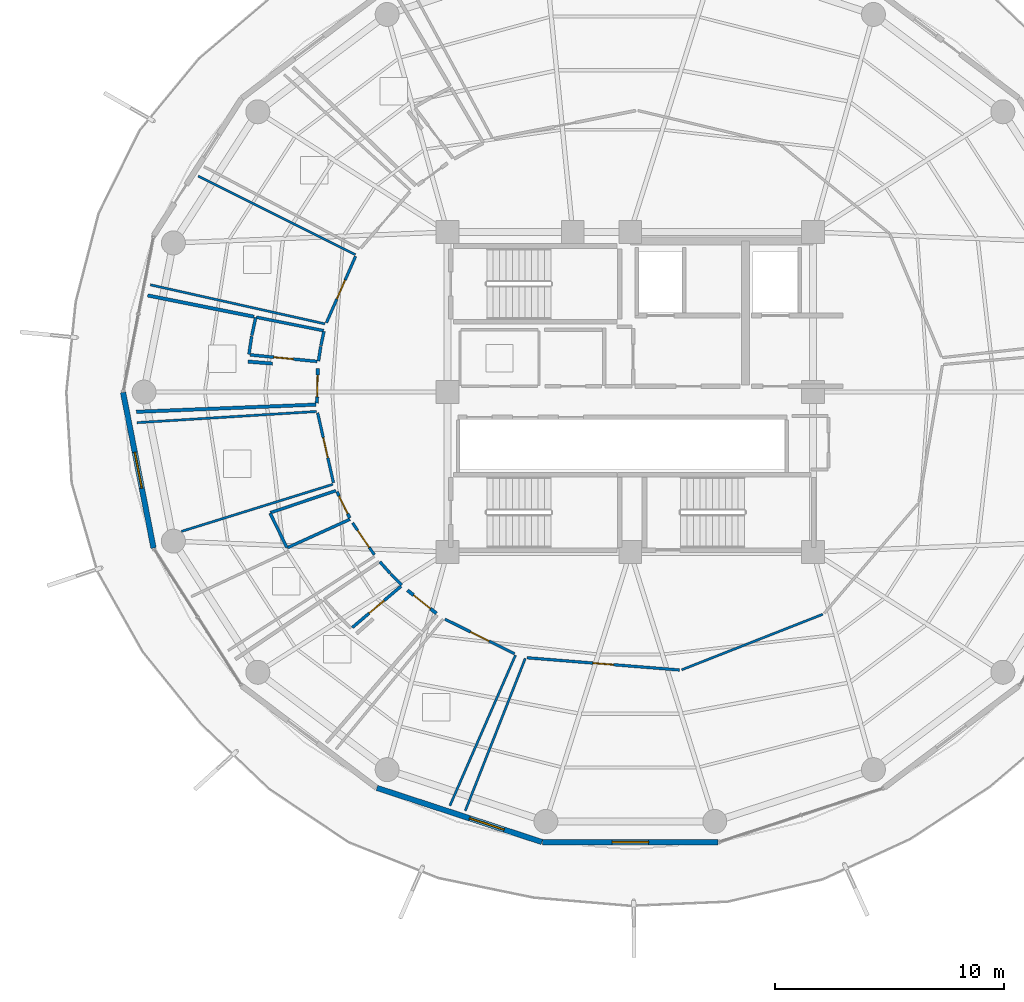
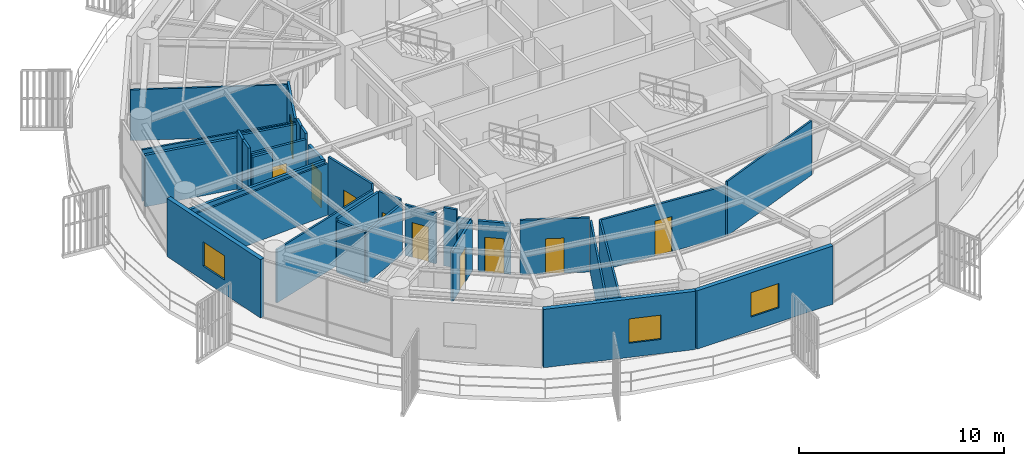
# One storey, part 24 of 31: 33 walls, 10 doors, 3 windows, 13 openings.
"""IFC4 building model written with IfcOpenShell, lengths in metres."""

from ifc_helpers import new_model, si_unit, direction, frame, frame_2d, origin, place, context, subcontext, project, spatial, rectangle, extrude, material, layer, layer_set, type_object, element, fill, save


model = new_model("IFC4")

# Units and contexts
model_context = context("Model", 3, precision=1e-05, world=origin(), true_north=direction((0.0, 1.0)))
body_context = subcontext(model_context, "Body", "Model", "MODEL_VIEW")
ifc_project = project(units=[si_unit("LENGTHUNIT", "METRE"), si_unit("AREAUNIT", "SQUARE_METRE"), si_unit("VOLUMEUNIT", "CUBIC_METRE"), si_unit("PLANEANGLEUNIT", "RADIAN"), si_unit("MASSUNIT", "GRAM", prefix="KILO")], contexts=[model_context])

# Site, building, storey
site_placement = place(None, origin())
site = spatial("IfcSite", under=ifc_project, at=site_placement, CompositionType="ELEMENT")
building_placement = place(site_placement, origin())
building = spatial("IfcBuilding", under=site, at=building_placement, Name="Kelanora Arch Commons", CompositionType="ELEMENT")
storey_placement = place(building_placement, frame((0.0, 0.0, 230.699951171875)))
storey = spatial("IfcBuildingStorey", under=building, at=storey_placement, Name="L59", CompositionType="ELEMENT", Elevation=230.699951171875)

# Wall, opening, door
ifc_material_1 = material(Name="Autoclaved aerated concrete blockwork with fire plaster", Category="masonry")
ifc_layer_1 = layer(ifc_material_1, 0.14990234375)
ifc_layer_set_1 = layer_set([ifc_layer_1], Name="Autoclaved aerated concrete blockwork with fire plaster")
wall_type_1 = type_object("IfcWallType", Name="W-COMP-150", PredefinedType="PARTITIONING", material=ifc_layer_set_1)
wall_1_placement = place(storey_placement, frame((60.322509765625, 59.028076171875, 0.0), z_axis=(0.0, 0.0, 1.0), x_axis=(-0.024453580127, -0.999700966499, 0.0)))
wall_1 = element("IfcWall", 1, at=wall_1_placement, inside=storey, type_object=wall_type_1, Name="Cluster Bedroom L59-04 Entry Partition", PredefinedType="PARTITIONING", context=body_context, shape_type="SweptSolid", body=[
    extrude(rectangle(XDim=1.517578125, YDim=0.14990234375, at=frame_2d((0.7587890625, 0.0))), origin(), (0.0, 0.0, 1.0), 3.025146484375),
])
opening_1_placement = place(wall_1_placement, frame((0.283935546875, 0.0, 0.0)))
opening_1 = element("IfcOpeningElement", 2, at=opening_1_placement, cuts=wall_1, Name="Opening D-CLU1", PredefinedType="OPENING", context=body_context, shape_type="SweptSolid", body=[
    extrude(rectangle(XDim=0.949951171875, YDim=2.080078125, at=frame_2d((0.47509765625, 1.0400390625))), frame((0.0, 0.0849609375, 0.0), z_axis=(0.0, -1.0, 0.0), x_axis=(1.0, 0.0, 0.0)), (0.0, 0.0, 1.0), 0.169921875),
])
ifc_material_2 = material(Name="Solid-core acoustic timber cluster entry fire door", Category="wood")
door_type_1 = type_object("IfcDoorType", Name="D-CLU-95", OperationType="NOTDEFINED", PredefinedType="DOOR", material=ifc_material_2)
door_1_placement = place(opening_1_placement, origin())
door_1 = element("IfcDoor", 3, at=door_1_placement, inside=storey, type_object=door_type_1, Name="Cluster Bedroom L59-04 Door", OperationType="SINGLE_SWING_RIGHT", OverallHeight=2.080078125, OverallWidth=0.949951171875, PredefinedType="DOOR", context=body_context, shape_type="SweptSolid", body=[
    extrude(rectangle(XDim=0.949951171875, YDim=2.080078125, at=frame_2d((0.47509765625, 1.0400390625))), frame((0.0, 0.02490234375, 0.0), z_axis=(0.0, -1.0, 0.0), x_axis=(1.0, 0.0, 0.0)), (0.0, 0.0, 1.0), 0.050048828125),
])
fill(opening_1, door_1)

wall_2_placement = place(storey_placement, frame((64.249755859375, 49.324462890625, 0.0), z_axis=(0.0, 0.0, 1.0), x_axis=(0.780560643324, -0.625080060547, 0.0)))
wall_2 = element("IfcWall", 4, at=wall_2_placement, inside=storey, type_object=wall_type_1, Name="Co-Living Studio L59-07 Entry Partition", PredefinedType="PARTITIONING", context=body_context, shape_type="SweptSolid", body=[
    extrude(rectangle(XDim=1.62353515625, YDim=0.14990234375, at=frame_2d((0.811767578125, 0.0))), origin(), (0.0, 0.0, 1.0), 3.025146484375),
])
opening_2_placement = place(wall_2_placement, frame((0.3369140625, 0.0, 0.0)))
opening_2 = element("IfcOpeningElement", 5, at=opening_2_placement, cuts=wall_2, Name="Opening D-CLU1", PredefinedType="OPENING", context=body_context, shape_type="SweptSolid", body=[
    extrude(rectangle(XDim=0.949951171875, YDim=2.080078125, at=frame_2d((0.47509765625, 1.0400390625))), frame((0.0, 0.0849609375, 0.0), z_axis=(0.0, -1.0, 0.0), x_axis=(1.0, 0.0, 0.0)), (0.0, 0.0, 1.0), 0.169921875),
])
door_2_placement = place(opening_2_placement, origin())
door_2 = element("IfcDoor", 6, at=door_2_placement, inside=storey, type_object=door_type_1, Name="Co-Living Studio L59-07 Door", OperationType="SINGLE_SWING_LEFT", OverallHeight=2.080078125, OverallWidth=0.949951171875, PredefinedType="DOOR", context=body_context, shape_type="SweptSolid", body=[
    extrude(rectangle(XDim=0.949951171875, YDim=2.080078125, at=frame_2d((0.47509765625, 1.0400390625))), frame((0.0, 0.02490234375, 0.0), z_axis=(0.0, -1.0, 0.0), x_axis=(1.0, 0.0, 0.0)), (0.0, 0.0, 1.0), 0.050048828125),
])
fill(opening_2, door_2)

# Walls
wall_3_placement = place(storey_placement, frame((60.243896484375, 57.449462890625, 0.0), z_axis=(0.0, 0.0, 1.0), x_axis=(-0.999198776547, -0.040022555479, 0.0)))
element("IfcWall", 7, at=wall_3_placement, inside=storey, type_object=wall_type_1, Name="Cluster Bedroom L59-04 Enclosure Partition 2", PredefinedType="PARTITIONING", context=body_context, shape_type="SweptSolid", body=[
    extrude(rectangle(XDim=7.869140625, YDim=0.14990234375, at=frame_2d((3.9345703125, 0.0))), origin(), (0.0, 0.0, 1.0), 3.074951171875),
])
wall_4_placement = place(storey_placement, frame((52.878173828125, 62.22900390625, 0.0), z_axis=(0.0, 0.0, 1.0), x_axis=(0.980491563171, -0.196561172538, 0.0)))
element("IfcWall", 8, at=wall_4_placement, inside=storey, type_object=wall_type_1, Name="Cluster Bedroom L59-04 Enclosure Partition 5", PredefinedType="PARTITIONING", context=body_context, shape_type="SweptSolid", body=[
    extrude(rectangle(XDim=4.7470703125, YDim=0.14990234375, at=frame_2d((2.37353515625, 0.0))), origin(), (0.0, 0.0, 1.0), 3.074951171875),
])
wall_5_placement = place(storey_placement, frame((57.27490234375, 59.330810546875, 0.0), z_axis=(0.0, 0.0, 1.0), x_axis=(0.996837682514, -0.079464675924, 0.0)))
element("IfcWall", 9, at=wall_5_placement, inside=storey, type_object=wall_type_1, Name="Cluster Bedroom L59-04 Enclosure Partition 7", PredefinedType="PARTITIONING", context=body_context, shape_type="SweptSolid", body=[
    extrude(rectangle(XDim=1.072265625, YDim=0.14990234375, at=frame_2d((0.5361328125, 0.0))), origin(), (0.0, 0.0, 1.0), 3.175048828125),
])

# Wall, opening, window
ifc_material_3 = material(Name="Precast concrete C40/50 upper-zone terracotta rainscreen", Category="masonry")
ifc_layer_2 = layer(ifc_material_3, 0.239990234375)
ifc_layer_set_2 = layer_set([ifc_layer_2], Name="Precast concrete C40/50 upper-zone terracotta rainscreen")
wall_type_2 = type_object("IfcWallType", Name="W-EXT-TC2", PredefinedType="SOLIDWALL", material=ifc_layer_set_2)
wall_6_placement = place(storey_placement, frame((51.802978515625, 57.9853515625, 0.0), z_axis=(0.0, 0.0, 1.0), x_axis=(0.192069055673, -0.981381413036, 0.0)))
wall_6 = element("IfcWall", 10, at=wall_6_placement, inside=storey, type_object=wall_type_2, Name="Terracotta Exterior Wall L59-B09", PredefinedType="SOLIDWALL", context=body_context, shape_type="SweptSolid", body=[
    extrude(rectangle(XDim=6.940185546875, YDim=0.239990234375, at=frame_2d((3.47021484375, 0.0))), origin(), (0.0, 0.0, 1.0), 3.47509765625),
])
opening_3_placement = place(wall_6_placement, frame((2.669921875, 0.0, 0.85009765625)))
opening_3 = element("IfcOpeningElement", 11, at=opening_3_placement, cuts=wall_6, Name="Opening WN-01", PredefinedType="OPENING", context=body_context, shape_type="SweptSolid", body=[
    extrude(rectangle(XDim=1.60009765625, YDim=1.449951171875, at=frame_2d((0.800048828125, 0.72509765625))), frame((0.0, 0.1298828125, 0.0), z_axis=(0.0, -1.0, 0.0), x_axis=(1.0, 0.0, 0.0)), (0.0, 0.0, 1.0), 0.260009765625),
])
ifc_material_4 = material(Name="Terracotta-anodised aluminium frame with operable low-E glazing", Category="masonry")
window_type = type_object("IfcWindowType", Name="WIN-CL-18", PartitioningType="DOUBLE_PANEL_VERTICAL", PredefinedType="WINDOW", material=ifc_material_4)
window_1_placement = place(opening_3_placement, origin())
window_1 = element("IfcWindow", 12, at=window_1_placement, inside=storey, type_object=window_type, Name="Co-Living Operable Window L59-B09", OverallHeight=1.449951171875, OverallWidth=1.60009765625, PartitioningType="SINGLE_PANEL", PredefinedType="WINDOW", context=body_context, shape_type="SweptSolid", body=[
    extrude(rectangle(XDim=1.60009765625, YDim=1.449951171875, at=frame_2d((0.800048828125, 0.72509765625))), frame((0.0, 0.030029296875, 0.0), z_axis=(0.0, -1.0, 0.0), x_axis=(1.0, 0.0, 0.0)), (0.0, 0.0, 1.0), 0.06005859375),
])
fill(opening_3, window_1)

wall_7_placement = place(storey_placement, frame((62.914306640625, 40.6748046875, 0.0), z_axis=(0.0, 0.0, 1.0), x_axis=(0.95022142767, -0.31157541366, 0.0)))
wall_7 = element("IfcWall", 13, at=wall_7_placement, inside=storey, type_object=wall_type_2, Name="Terracotta Exterior Wall L59-B12", PredefinedType="SOLIDWALL", context=body_context, shape_type="SweptSolid", body=[
    extrude(rectangle(XDim=7.59423828125, YDim=0.239990234375, at=frame_2d((3.797119140625, 0.0))), origin(), (0.0, 0.0, 1.0), 3.47509765625),
])
opening_4_placement = place(wall_7_placement, frame((4.257080078125, 0.0, 0.85009765625)))
opening_4 = element("IfcOpeningElement", 14, at=opening_4_placement, cuts=wall_7, Name="Opening WN-01", PredefinedType="OPENING", context=body_context, shape_type="SweptSolid", body=[
    extrude(rectangle(XDim=1.60009765625, YDim=1.449951171875, at=frame_2d((0.800048828125, 0.72509765625))), frame((0.0, 0.1298828125, 0.0), z_axis=(0.0, -1.0, 0.0), x_axis=(1.0, 0.0, 0.0)), (0.0, 0.0, 1.0), 0.260009765625),
])
window_2_placement = place(opening_4_placement, origin())
window_2 = element("IfcWindow", 15, at=window_2_placement, inside=storey, type_object=window_type, Name="Co-Living Operable Window L59-B12", OverallHeight=1.449951171875, OverallWidth=1.60009765625, PartitioningType="SINGLE_PANEL", PredefinedType="WINDOW", context=body_context, shape_type="SweptSolid", body=[
    extrude(rectangle(XDim=1.60009765625, YDim=1.449951171875, at=frame_2d((0.800048828125, 0.72509765625))), frame((0.0, 0.030029296875, 0.0), z_axis=(0.0, -1.0, 0.0), x_axis=(1.0, 0.0, 0.0)), (0.0, 0.0, 1.0), 0.06005859375),
])
fill(opening_4, window_2)

wall_8_placement = place(storey_placement, frame((70.159912109375, 38.3037109375, 0.0), z_axis=(0.0, 0.0, 1.0), x_axis=(1.0, 0.0, 0.0)))
wall_8 = element("IfcWall", 16, at=wall_8_placement, inside=storey, type_object=wall_type_2, Name="Terracotta Exterior Wall L59-B13", PredefinedType="SOLIDWALL", context=body_context, shape_type="SweptSolid", body=[
    extrude(rectangle(XDim=7.68017578125, YDim=0.239990234375, at=frame_2d((3.840087890625, 0.0))), origin(), (0.0, 0.0, 1.0), 3.47509765625),
])
opening_5_placement = place(wall_8_placement, frame((3.0400390625, 0.0, 0.85009765625)))
opening_5 = element("IfcOpeningElement", 17, at=opening_5_placement, cuts=wall_8, Name="Opening WN-01", PredefinedType="OPENING", context=body_context, shape_type="SweptSolid", body=[
    extrude(rectangle(XDim=1.60009765625, YDim=1.449951171875, at=frame_2d((0.800048828125, 0.72509765625))), frame((0.0, 0.1298828125, 0.0), z_axis=(0.0, -1.0, 0.0), x_axis=(1.0, 0.0, 0.0)), (0.0, 0.0, 1.0), 0.260009765625),
])
window_3_placement = place(opening_5_placement, origin())
window_3 = element("IfcWindow", 18, at=window_3_placement, inside=storey, type_object=window_type, Name="Co-Living Operable Window L59-B13", OverallHeight=1.449951171875, OverallWidth=1.60009765625, PartitioningType="SINGLE_PANEL", PredefinedType="WINDOW", context=body_context, shape_type="SweptSolid", body=[
    extrude(rectangle(XDim=1.60009765625, YDim=1.449951171875, at=frame_2d((0.800048828125, 0.72509765625))), frame((0.0, 0.030029296875, 0.0), z_axis=(0.0, -1.0, 0.0), x_axis=(1.0, 0.0, 0.0)), (0.0, 0.0, 1.0), 0.06005859375),
])
fill(opening_5, window_3)

# Walls
ifc_material_5 = material(Name="Lightweight fire-rated acoustic stud partition")
ifc_layer_3 = layer(ifc_material_5, 0.10009765625)
ifc_layer_set_3 = layer_set([ifc_layer_3], Name="Lightweight fire-rated acoustic stud partition")
wall_type_3 = type_object("IfcWallType", Name="W-PART-100", PredefinedType="PARTITIONING", material=ifc_layer_set_3)
wall_9_placement = place(storey_placement, frame((76.250244140625, 45.845703125, 0.0), z_axis=(0.0, 0.0, 1.0), x_axis=(0.93054786628, 0.366170272635, 0.0)))
element("IfcWall", 19, at=wall_9_placement, inside=storey, type_object=wall_type_3, Name="South-East Shared Study Commons L59 Enclosure Partition 2", PredefinedType="PARTITIONING", context=body_context, shape_type="SweptSolid", body=[
    extrude(rectangle(XDim=6.635498046875, YDim=0.10009765625, at=frame_2d((3.31787109375, 0.0))), origin(), (0.0, 0.0, 1.0), 3.235107421875),
])
wall_10_placement = place(storey_placement, frame((66.777587890625, 39.67431640625, 0.0), z_axis=(0.0, 0.0, 1.0), x_axis=(0.366396673382, 0.930458745853, 0.0)))
element("IfcWall", 20, at=wall_10_placement, inside=storey, type_object=wall_type_3, Name="South-East Shared Study Commons L59 Enclosure Partition 10", PredefinedType="PARTITIONING", context=body_context, shape_type="SweptSolid", body=[
    extrude(rectangle(XDim=7.163818359375, YDim=0.10009765625, at=frame_2d((3.58203125, 0.0))), origin(), (0.0, 0.0, 1.0), 3.074951171875),
])
wall_11_placement = place(storey_placement, frame((60.636962890625, 60.983642578125, 0.0), z_axis=(0.0, 0.0, 1.0), x_axis=(-0.97589770928, 0.218228460612, 0.0)))
element("IfcWall", 21, at=wall_11_placement, inside=storey, type_object=wall_type_3, Name="Shared Cluster Kitchen L59-03 Enclosure Partition 2", PredefinedType="PARTITIONING", context=body_context, shape_type="SweptSolid", body=[
    extrude(rectangle(XDim=7.82568359375, YDim=0.10009765625, at=frame_2d((3.912841796875, 0.0))), origin(), (0.0, 0.0, 1.0), 3.074951171875),
])
wall_12_placement = place(storey_placement, frame((55.087890625, 67.447998046875, 0.0), z_axis=(0.0, 0.0, 1.0), x_axis=(0.894433542293, -0.447200892688, 0.0)))
element("IfcWall", 22, at=wall_12_placement, inside=storey, type_object=wall_type_3, Name="Shared Cluster Kitchen L59-03 Enclosure Partition 4", PredefinedType="PARTITIONING", context=body_context, shape_type="SweptSolid", body=[
    extrude(rectangle(XDim=7.687744140625, YDim=0.10009765625, at=frame_2d((3.84375, 0.0))), origin(), (0.0, 0.0, 1.0), 3.025146484375),
])
wall_13_placement = place(storey_placement, frame((60.98486328125, 53.961181640625, 0.0), z_axis=(0.0, 0.0, 1.0), x_axis=(-0.954952218503, -0.29675960031, 0.0)))
element("IfcWall", 23, at=wall_13_placement, inside=storey, type_object=wall_type_3, Name="Quiet Seminar Study Room L59-05 Enclosure Partition 2", PredefinedType="PARTITIONING", context=body_context, shape_type="SweptSolid", body=[
    extrude(rectangle(XDim=6.946044921875, YDim=0.10009765625, at=frame_2d((3.47314453125, 0.0))), origin(), (0.0, 0.0, 1.0), 3.175048828125),
])
wall_14_placement = place(storey_placement, frame((52.410888671875, 56.660400390625, 0.0), z_axis=(0.0, 0.0, 1.0), x_axis=(0.998074132124, 0.06203246557, 0.0)))
element("IfcWall", 24, at=wall_14_placement, inside=storey, type_object=wall_type_3, Name="Quiet Seminar Study Room L59-05 Enclosure Partition 4", PredefinedType="PARTITIONING", context=body_context, shape_type="SweptSolid", body=[
    extrude(rectangle(XDim=7.867431640625, YDim=0.10009765625, at=frame_2d((3.93359375, 0.0))), origin(), (0.0, 0.0, 1.0), 3.074951171875),
])
wall_15_placement = place(storey_placement, frame((68.97412109375, 46.4833984375, 0.0), z_axis=(0.0, 0.0, 1.0), x_axis=(-0.399504113712, -0.916731401844, 0.0)))
element("IfcWall", 25, at=wall_15_placement, inside=storey, type_object=wall_type_3, Name="Quiet Seminar Study Room L59-08 Enclosure Partition 2", PredefinedType="PARTITIONING", context=body_context, shape_type="SweptSolid", body=[
    extrude(rectangle(XDim=7.181640625, YDim=0.10009765625, at=frame_2d((3.5908203125, 0.0))), origin(), (0.0, 0.0, 1.0), 3.074951171875),
])

# Wall, opening, door
ifc_material_6 = material(Name="Acoustic twin-stud fire-rated gypsum partition")
ifc_layer_4 = layer(ifc_material_6, 0.1201171875)
ifc_layer_set_4 = layer_set([ifc_layer_4], Name="Acoustic twin-stud fire-rated gypsum partition")
wall_type_4 = type_object("IfcWallType", Name="W-PART-120", PredefinedType="PARTITIONING", material=ifc_layer_set_4)
wall_16_placement = place(storey_placement, frame((69.476806640625, 46.372314453125, 0.0), z_axis=(0.0, 0.0, 1.0), x_axis=(0.996785539967, -0.080116086476, 0.0)))
wall_16 = element("IfcWall", 26, at=wall_16_placement, inside=storey, type_object=wall_type_4, Name="South-East Shared Study Commons L59 Entry Partition", PredefinedType="PARTITIONING", context=body_context, shape_type="SweptSolid", body=[
    extrude(rectangle(XDim=6.697998046875, YDim=0.1201171875, at=frame_2d((3.34912109375, 0.0))), origin(), (0.0, 0.0, 1.0), 3.025146484375),
])
opening_6_placement = place(wall_16_placement, frame((2.89892578125, 0.0, 0.0)))
opening_6 = element("IfcOpeningElement", 27, at=opening_6_placement, cuts=wall_16, Name="Opening D-RM1", PredefinedType="OPENING", context=body_context, shape_type="SweptSolid", body=[
    extrude(rectangle(XDim=0.89990234375, YDim=2.080078125, at=frame_2d((0.449951171875, 1.0400390625))), frame((0.0, 0.070068359375, 0.0), z_axis=(0.0, -1.0, 0.0), x_axis=(1.0, 0.0, 0.0)), (0.0, 0.0, 1.0), 0.14013671875),
])
ifc_material_7 = material(Name="Acoustic fire-rated timber study and lounge door", Category="wood")
door_type_2 = type_object("IfcDoorType", Name="D-ROOM-90", OperationType="NOTDEFINED", PredefinedType="DOOR", material=ifc_material_7)
door_3_placement = place(opening_6_placement, origin())
door_3 = element("IfcDoor", 28, at=door_3_placement, inside=storey, type_object=door_type_2, Name="South-East Shared Study Commons L59 Door", OperationType="SINGLE_SWING_LEFT", OverallHeight=2.080078125, OverallWidth=0.89990234375, PredefinedType="DOOR", context=body_context, shape_type="SweptSolid", body=[
    extrude(rectangle(XDim=0.89990234375, YDim=2.080078125, at=frame_2d((0.449951171875, 1.0400390625))), frame((0.0, 0.02490234375, 0.0), z_axis=(0.0, -1.0, 0.0), x_axis=(1.0, 0.0, 0.0)), (0.0, 0.0, 1.0), 0.050048828125),
])
fill(opening_6, door_3)

wall_17_placement = place(storey_placement, frame((61.975830078125, 63.93701171875, 0.0), z_axis=(0.0, 0.0, 1.0), x_axis=(-0.401802923717, -0.91572616567, 0.0)))
wall_17 = element("IfcWall", 29, at=wall_17_placement, inside=storey, type_object=wall_type_4, Name="Shared Cluster Kitchen L59-03 Entry Partition", PredefinedType="PARTITIONING", context=body_context, shape_type="SweptSolid", body=[
    extrude(rectangle(XDim=3.1748046875, YDim=0.1201171875, at=frame_2d((1.58740234375, 0.0))), origin(), (0.0, 0.0, 1.0), 3.235107421875),
])
opening_7_placement = place(wall_17_placement, frame((1.136962890625, 0.0, 0.0)))
opening_7 = element("IfcOpeningElement", 30, at=opening_7_placement, cuts=wall_17, Name="Opening D-RM1", PredefinedType="OPENING", context=body_context, shape_type="SweptSolid", body=[
    extrude(rectangle(XDim=0.89990234375, YDim=2.080078125, at=frame_2d((0.449951171875, 1.0400390625))), frame((0.0, 0.070068359375, 0.0), z_axis=(0.0, -1.0, 0.0), x_axis=(1.0, 0.0, 0.0)), (0.0, 0.0, 1.0), 0.14013671875),
])
door_4_placement = place(opening_7_placement, origin())
door_4 = element("IfcDoor", 31, at=door_4_placement, inside=storey, type_object=door_type_2, Name="Shared Cluster Kitchen L59-03 Door", OperationType="SINGLE_SWING_RIGHT", OverallHeight=2.080078125, OverallWidth=0.89990234375, PredefinedType="DOOR", context=body_context, shape_type="SweptSolid", body=[
    extrude(rectangle(XDim=0.89990234375, YDim=2.080078125, at=frame_2d((0.449951171875, 1.0400390625))), frame((0.0, 0.02490234375, 0.0), z_axis=(0.0, -1.0, 0.0), x_axis=(1.0, 0.0, 0.0)), (0.0, 0.0, 1.0), 0.050048828125),
])
fill(opening_7, door_4)

wall_18_placement = place(storey_placement, frame((60.31640625, 57.092529296875, 0.0), z_axis=(0.0, 0.0, 1.0), x_axis=(0.22091500264, -0.975293064473, 0.0)))
wall_18 = element("IfcWall", 32, at=wall_18_placement, inside=storey, type_object=wall_type_4, Name="Quiet Seminar Study Room L59-05 Entry Partition", PredefinedType="PARTITIONING", context=body_context, shape_type="SweptSolid", body=[
    extrude(rectangle(XDim=3.138671875, YDim=0.1201171875, at=frame_2d((1.5693359375, 0.0))), origin(), (0.0, 0.0, 1.0), 3.47998046875),
])
opening_8_placement = place(wall_18_placement, frame((1.118896484375, 0.0, 0.0)))
opening_8 = element("IfcOpeningElement", 33, at=opening_8_placement, cuts=wall_18, Name="Opening D-RM1", PredefinedType="OPENING", context=body_context, shape_type="SweptSolid", body=[
    extrude(rectangle(XDim=0.89990234375, YDim=2.080078125, at=frame_2d((0.449951171875, 1.0400390625))), frame((0.0, 0.070068359375, 0.0), z_axis=(0.0, -1.0, 0.0), x_axis=(1.0, 0.0, 0.0)), (0.0, 0.0, 1.0), 0.14013671875),
])
door_5_placement = place(opening_8_placement, origin())
door_5 = element("IfcDoor", 34, at=door_5_placement, inside=storey, type_object=door_type_2, Name="Quiet Seminar Study Room L59-05 Door", OperationType="SINGLE_SWING_LEFT", OverallHeight=2.080078125, OverallWidth=0.89990234375, PredefinedType="DOOR", context=body_context, shape_type="SweptSolid", body=[
    extrude(rectangle(XDim=0.89990234375, YDim=2.080078125, at=frame_2d((0.449951171875, 1.0400390625))), frame((0.0, 0.02490234375, 0.0), z_axis=(0.0, -1.0, 0.0), x_axis=(1.0, 0.0, 0.0)), (0.0, 0.0, 1.0), 0.050048828125),
])
fill(opening_8, door_5)

wall_19_placement = place(storey_placement, frame((61.845703125, 52.2734375, 0.0), z_axis=(0.0, 0.0, 1.0), x_axis=(0.563860796601, -0.825869845712, 0.0)))
wall_19 = element("IfcWall", 35, at=wall_19_placement, inside=storey, type_object=wall_type_4, Name="Tutorial Study Alcove L59-06 Entry Partition", PredefinedType="PARTITIONING", context=body_context, shape_type="SweptSolid", body=[
    extrude(rectangle(XDim=1.691162109375, YDim=0.1201171875, at=frame_2d((0.845703125, 0.0))), origin(), (0.0, 0.0, 1.0), 3.025146484375),
])
opening_9_placement = place(wall_19_placement, frame((0.39599609375, 0.0, 0.0)))
opening_9 = element("IfcOpeningElement", 36, at=opening_9_placement, cuts=wall_19, Name="Opening D-RM1", PredefinedType="OPENING", context=body_context, shape_type="SweptSolid", body=[
    extrude(rectangle(XDim=0.89990234375, YDim=2.080078125, at=frame_2d((0.449951171875, 1.0400390625))), frame((0.0, 0.070068359375, 0.0), z_axis=(0.0, -1.0, 0.0), x_axis=(1.0, 0.0, 0.0)), (0.0, 0.0, 1.0), 0.14013671875),
])
door_6_placement = place(opening_9_placement, origin())
door_6 = element("IfcDoor", 37, at=door_6_placement, inside=storey, type_object=door_type_2, Name="Tutorial Study Alcove L59-06 Door", OperationType="SINGLE_SWING_LEFT", OverallHeight=2.080078125, OverallWidth=0.89990234375, PredefinedType="DOOR", context=body_context, shape_type="SweptSolid", body=[
    extrude(rectangle(XDim=0.89990234375, YDim=2.080078125, at=frame_2d((0.449951171875, 1.0400390625))), frame((0.0, 0.02490234375, 0.0), z_axis=(0.0, -1.0, 0.0), x_axis=(1.0, 0.0, 0.0)), (0.0, 0.0, 1.0), 0.050048828125),
])
fill(opening_9, door_6)

wall_20_placement = place(storey_placement, frame((65.884765625, 48.063232421875, 0.0), z_axis=(0.0, 0.0, 1.0), x_axis=(0.895499293581, -0.445062933973, 0.0)))
wall_20 = element("IfcWall", 38, at=wall_20_placement, inside=storey, type_object=wall_type_4, Name="Quiet Seminar Study Room L59-08 Entry Partition", PredefinedType="PARTITIONING", context=body_context, shape_type="SweptSolid", body=[
    extrude(rectangle(XDim=3.40771484375, YDim=0.1201171875, at=frame_2d((1.703857421875, 0.0))), origin(), (0.0, 0.0, 1.0), 3.235107421875),
])
opening_10_placement = place(wall_20_placement, frame((1.25390625, 0.0, 0.0)))
opening_10 = element("IfcOpeningElement", 39, at=opening_10_placement, cuts=wall_20, Name="Opening D-RM1", PredefinedType="OPENING", context=body_context, shape_type="SweptSolid", body=[
    extrude(rectangle(XDim=0.89990234375, YDim=2.080078125, at=frame_2d((0.449951171875, 1.0400390625))), frame((0.0, 0.070068359375, 0.0), z_axis=(0.0, -1.0, 0.0), x_axis=(1.0, 0.0, 0.0)), (0.0, 0.0, 1.0), 0.14013671875),
])
door_7_placement = place(opening_10_placement, origin())
door_7 = element("IfcDoor", 40, at=door_7_placement, inside=storey, type_object=door_type_2, Name="Quiet Seminar Study Room L59-08 Door", OperationType="SINGLE_SWING_RIGHT", OverallHeight=2.080078125, OverallWidth=0.89990234375, PredefinedType="DOOR", context=body_context, shape_type="SweptSolid", body=[
    extrude(rectangle(XDim=0.89990234375, YDim=2.080078125, at=frame_2d((0.449951171875, 1.0400390625))), frame((0.0, 0.02490234375, 0.0), z_axis=(0.0, -1.0, 0.0), x_axis=(1.0, 0.0, 0.0)), (0.0, 0.0, 1.0), 0.050048828125),
])
fill(opening_10, door_7)

ifc_material_8 = material(Name="Moisture-resistant fire-rated cement-board plumbing wall")
ifc_layer_5 = layer(ifc_material_8, 0.1298828125)
ifc_layer_set_5 = layer_set([ifc_layer_5], Name="Moisture-resistant fire-rated cement-board plumbing wall")
wall_type_5 = type_object("IfcWallType", Name="W-WET-120", PredefinedType="PLUMBINGWALL", material=ifc_layer_set_5)
wall_21_placement = place(storey_placement, frame((60.291259765625, 59.33984375, 0.0), z_axis=(0.0, 0.0, 1.0), x_axis=(-0.995236750248, 0.097487491277, 0.0)))
wall_21 = element("IfcWall", 41, at=wall_21_placement, inside=storey, type_object=wall_type_5, Name="En-Suite Shower WC L59-04 Entry Partition", PredefinedType="PLUMBINGWALL", context=body_context, shape_type="SweptSolid", body=[
    extrude(rectangle(XDim=2.9375, YDim=0.1298828125, at=frame_2d((1.46875, 0.0))), origin(), (0.0, 0.0, 1.0), 3.175048828125),
])
opening_11_placement = place(wall_21_placement, frame((1.0390625, 0.0, 0.0)))
opening_11 = element("IfcOpeningElement", 42, at=opening_11_placement, cuts=wall_21, Name="Opening D-BT1", PredefinedType="OPENING", context=body_context, shape_type="SweptSolid", body=[
    extrude(rectangle(XDim=0.860107421875, YDim=2.050048828125, at=frame_2d((0.43017578125, 1.02490234375))), frame((0.0, 0.074951171875, 0.0), z_axis=(0.0, -1.0, 0.0), x_axis=(1.0, 0.0, 0.0)), (0.0, 0.0, 1.0), 0.14990234375),
])
ifc_material_9 = material(Name="Moisture-sealed fire-rated accessible bathroom door")
door_type_3 = type_object("IfcDoorType", Name="D-BATH-85", OperationType="NOTDEFINED", PredefinedType="DOOR", material=ifc_material_9)
door_8_placement = place(opening_11_placement, origin())
door_8 = element("IfcDoor", 43, at=door_8_placement, inside=storey, type_object=door_type_3, Name="En-Suite Shower WC L59-04 Door", OperationType="SINGLE_SWING_LEFT", OverallHeight=2.050048828125, OverallWidth=0.860107421875, PredefinedType="DOOR", context=body_context, shape_type="SweptSolid", body=[
    extrude(rectangle(XDim=0.860107421875, YDim=2.050048828125, at=frame_2d((0.43017578125, 1.02490234375))), frame((0.0, 0.02490234375, 0.0), z_axis=(0.0, -1.0, 0.0), x_axis=(1.0, 0.0, 0.0)), (0.0, 0.0, 1.0), 0.050048828125),
])
fill(opening_11, door_8)

wall_22_placement = place(storey_placement, frame((61.162353515625, 53.635986328125, 0.0), z_axis=(0.0, 0.0, 1.0), x_axis=(0.437981349822, -0.898984058373, 0.0)))
wall_22 = element("IfcWall", 44, at=wall_22_placement, inside=storey, type_object=wall_type_5, Name="Accessible Shared Floor WC L59-06 Entry Partition", PredefinedType="PLUMBINGWALL", context=body_context, shape_type="SweptSolid", body=[
    extrude(rectangle(XDim=1.272705078125, YDim=0.1298828125, at=frame_2d((0.63623046875, 0.0))), origin(), (0.0, 0.0, 1.0), 3.235107421875),
])
opening_12_placement = place(wall_22_placement, frame((0.2060546875, 0.0, 0.0)))
opening_12 = element("IfcOpeningElement", 45, at=opening_12_placement, cuts=wall_22, Name="Opening D-BT1", PredefinedType="OPENING", context=body_context, shape_type="SweptSolid", body=[
    extrude(rectangle(XDim=0.860107421875, YDim=2.050048828125, at=frame_2d((0.43017578125, 1.02490234375))), frame((0.0, 0.074951171875, 0.0), z_axis=(0.0, -1.0, 0.0), x_axis=(1.0, 0.0, 0.0)), (0.0, 0.0, 1.0), 0.14990234375),
])
door_9_placement = place(opening_12_placement, origin())
door_9 = element("IfcDoor", 46, at=door_9_placement, inside=storey, type_object=door_type_3, Name="Accessible Shared Floor WC L59-06 Door", OperationType="SINGLE_SWING_RIGHT", OverallHeight=2.050048828125, OverallWidth=0.860107421875, PredefinedType="DOOR", context=body_context, shape_type="SweptSolid", body=[
    extrude(rectangle(XDim=0.860107421875, YDim=2.050048828125, at=frame_2d((0.43017578125, 1.02490234375))), frame((0.0, 0.02490234375, 0.0), z_axis=(0.0, -1.0, 0.0), x_axis=(1.0, 0.0, 0.0)), (0.0, 0.0, 1.0), 0.050048828125),
])
fill(opening_12, door_9)

wall_23_placement = place(storey_placement, frame((63.96630859375, 49.501220703125, 0.0), z_axis=(0.0, 0.0, 1.0), x_axis=(-0.763141339825, -0.646231611305, 0.0)))
wall_23 = element("IfcWall", 47, at=wall_23_placement, inside=storey, type_object=wall_type_5, Name="En-Suite Shower WC L59-07 Entry Partition", PredefinedType="PLUMBINGWALL", context=body_context, shape_type="SweptSolid", body=[
    extrude(rectangle(XDim=2.79833984375, YDim=0.1298828125, at=frame_2d((1.399169921875, 0.0))), origin(), (0.0, 0.0, 1.0), 3.025146484375),
])
opening_13_placement = place(wall_23_placement, frame((0.968994140625, 0.0, 0.0)))
opening_13 = element("IfcOpeningElement", 48, at=opening_13_placement, cuts=wall_23, Name="Opening D-BT1", PredefinedType="OPENING", context=body_context, shape_type="SweptSolid", body=[
    extrude(rectangle(XDim=0.860107421875, YDim=2.050048828125, at=frame_2d((0.43017578125, 1.02490234375))), frame((0.0, 0.074951171875, 0.0), z_axis=(0.0, -1.0, 0.0), x_axis=(1.0, 0.0, 0.0)), (0.0, 0.0, 1.0), 0.14990234375),
])
door_10_placement = place(opening_13_placement, origin())
door_10 = element("IfcDoor", 49, at=door_10_placement, inside=storey, type_object=door_type_3, Name="En-Suite Shower WC L59-07 Door", OperationType="SINGLE_SWING_RIGHT", OverallHeight=2.050048828125, OverallWidth=0.860107421875, PredefinedType="DOOR", context=body_context, shape_type="SweptSolid", body=[
    extrude(rectangle(XDim=0.860107421875, YDim=2.050048828125, at=frame_2d((0.43017578125, 1.02490234375))), frame((0.0, 0.02490234375, 0.0), z_axis=(0.0, -1.0, 0.0), x_axis=(1.0, 0.0, 0.0)), (0.0, 0.0, 1.0), 0.050048828125),
])
fill(opening_13, door_10)

# Walls
wall_24_placement = place(storey_placement, frame((60.5947265625, 60.66259765625, 0.0), z_axis=(0.0, 0.0, 1.0), x_axis=(-0.211050082749, -0.977475249084, 0.0)))
element("IfcWall", 50, at=wall_24_placement, inside=storey, type_object=wall_type_5, Name="En-Suite Shower WC L59-04 Enclosure Partition 1", PredefinedType="PLUMBINGWALL", context=body_context, shape_type="SweptSolid", body=[
    extrude(rectangle(XDim=0.646728515625, YDim=0.1298828125, at=frame_2d((0.3232421875, 0.0))), origin(), (0.0, 0.0, 1.0), 3.47998046875),
])
wall_25_placement = place(storey_placement, frame((60.450927734375, 59.9912109375, 0.0), z_axis=(0.0, 0.0, 1.0), x_axis=(-0.150321319766, -0.988637193729, 0.0)))
element("IfcWall", 51, at=wall_25_placement, inside=storey, type_object=wall_type_5, Name="En-Suite Shower WC L59-04 Enclosure Partition 2", PredefinedType="PLUMBINGWALL", context=body_context, shape_type="SweptSolid", body=[
    extrude(rectangle(XDim=0.644775390625, YDim=0.1298828125, at=frame_2d((0.322265625, 0.0))), origin(), (0.0, 0.0, 1.0), 3.47998046875),
])
wall_26_placement = place(storey_placement, frame((57.31103515625, 59.65185546875, 0.0), z_axis=(0.0, 0.0, 1.0), x_axis=(0.150331405734, 0.988635660114, 0.0)))
element("IfcWall", 52, at=wall_26_placement, inside=storey, type_object=wall_type_5, Name="En-Suite Shower WC L59-04 Enclosure Partition 4", PredefinedType="PLUMBINGWALL", context=body_context, shape_type="SweptSolid", body=[
    extrude(rectangle(XDim=0.79736328125, YDim=0.1298828125, at=frame_2d((0.398681640625, 0.0))), origin(), (0.0, 0.0, 1.0), 3.47998046875),
])
wall_27_placement = place(storey_placement, frame((57.438232421875, 60.4794921875, 0.0), z_axis=(0.0, 0.0, 1.0), x_axis=(0.210843597485, 0.977519809211, 0.0)))
element("IfcWall", 53, at=wall_27_placement, inside=storey, type_object=wall_type_5, Name="En-Suite Shower WC L59-04 Enclosure Partition 5", PredefinedType="PLUMBINGWALL", context=body_context, shape_type="SweptSolid", body=[
    extrude(rectangle(XDim=0.799072265625, YDim=0.1298828125, at=frame_2d((0.3994140625, 0.0))), origin(), (0.0, 0.0, 1.0), 3.47998046875),
])
wall_28_placement = place(storey_placement, frame((57.630615234375, 61.276123046875, 0.0), z_axis=(0.0, 0.0, 1.0), x_axis=(0.980543188147, -0.196303479793, 0.0)))
element("IfcWall", 54, at=wall_28_placement, inside=storey, type_object=wall_type_5, Name="En-Suite Shower WC L59-04 Enclosure Partition 6", PredefinedType="PLUMBINGWALL", context=body_context, shape_type="SweptSolid", body=[
    extrude(rectangle(XDim=3.00732421875, YDim=0.1298828125, at=frame_2d((1.503662109375, 0.0))), origin(), (0.0, 0.0, 1.0), 3.175048828125),
])
wall_29_placement = place(storey_placement, frame((61.727783203125, 52.4296875, 0.0), z_axis=(0.0, 0.0, 1.0), x_axis=(-0.910394340166, -0.413741640874, 0.0)))
element("IfcWall", 55, at=wall_29_placement, inside=storey, type_object=wall_type_5, Name="Accessible Shared Floor WC L59-06 Enclosure Partition 2", PredefinedType="PLUMBINGWALL", context=body_context, shape_type="SweptSolid", body=[
    extrude(rectangle(XDim=3.00048828125, YDim=0.1298828125, at=frame_2d((1.500244140625, 0.0))), origin(), (0.0, 0.0, 1.0), 3.025146484375),
])
wall_30_placement = place(storey_placement, frame((58.96923828125, 51.197998046875, 0.0), z_axis=(0.0, 0.0, 1.0), x_axis=(-0.437811526414, 0.899066775795, 0.0)))
element("IfcWall", 56, at=wall_30_placement, inside=storey, type_object=wall_type_5, Name="Accessible Shared Floor WC L59-06 Enclosure Partition 3", PredefinedType="PLUMBINGWALL", context=body_context, shape_type="SweptSolid", body=[
    extrude(rectangle(XDim=1.666259765625, YDim=0.1298828125, at=frame_2d((0.8330078125, 0.0))), origin(), (0.0, 0.0, 1.0), 3.025146484375),
])
wall_31_placement = place(storey_placement, frame((58.25, 52.720458984375, 0.0), z_axis=(0.0, 0.0, 1.0), x_axis=(0.947938024122, 0.318454867169, 0.0)))
element("IfcWall", 57, at=wall_31_placement, inside=storey, type_object=wall_type_5, Name="Accessible Shared Floor WC L59-06 Enclosure Partition 4", PredefinedType="PLUMBINGWALL", context=body_context, shape_type="SweptSolid", body=[
    extrude(rectangle(XDim=3.0244140625, YDim=0.1298828125, at=frame_2d((1.51220703125, 0.0))), origin(), (0.0, 0.0, 1.0), 3.175048828125),
])
wall_32_placement = place(storey_placement, frame((63.044189453125, 50.569091796875, 0.0), z_axis=(0.0, 0.0, 1.0), x_axis=(0.663846659507, -0.74786871352, 0.0)))
element("IfcWall", 58, at=wall_32_placement, inside=storey, type_object=wall_type_5, Name="En-Suite Shower WC L59-07 Enclosure Partition 1", PredefinedType="PLUMBINGWALL", context=body_context, shape_type="SweptSolid", body=[
    extrude(rectangle(XDim=0.674072265625, YDim=0.1298828125, at=frame_2d((0.3369140625, 0.0))), origin(), (0.0, 0.0, 1.0), 3.47998046875),
])
wall_33_placement = place(storey_placement, frame((63.51904296875, 50.035888671875, 0.0), z_axis=(0.0, 0.0, 1.0), x_axis=(0.704946592253, -0.70926039088, 0.0)))
element("IfcWall", 59, at=wall_33_placement, inside=storey, type_object=wall_type_5, Name="En-Suite Shower WC L59-07 Enclosure Partition 2", PredefinedType="PLUMBINGWALL", context=body_context, shape_type="SweptSolid", body=[
    extrude(rectangle(XDim=0.67919921875, YDim=0.1298828125, at=frame_2d((0.339599609375, 0.0))), origin(), (0.0, 0.0, 1.0), 3.025146484375),
])

save(model, "model.ifc")
